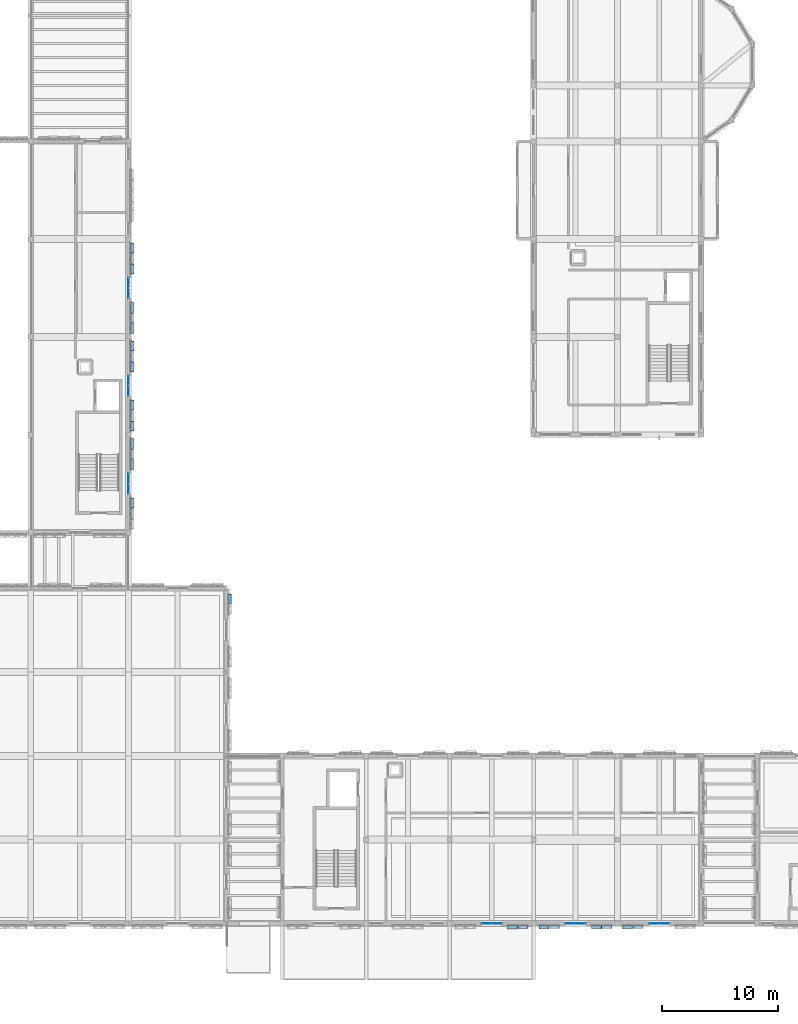
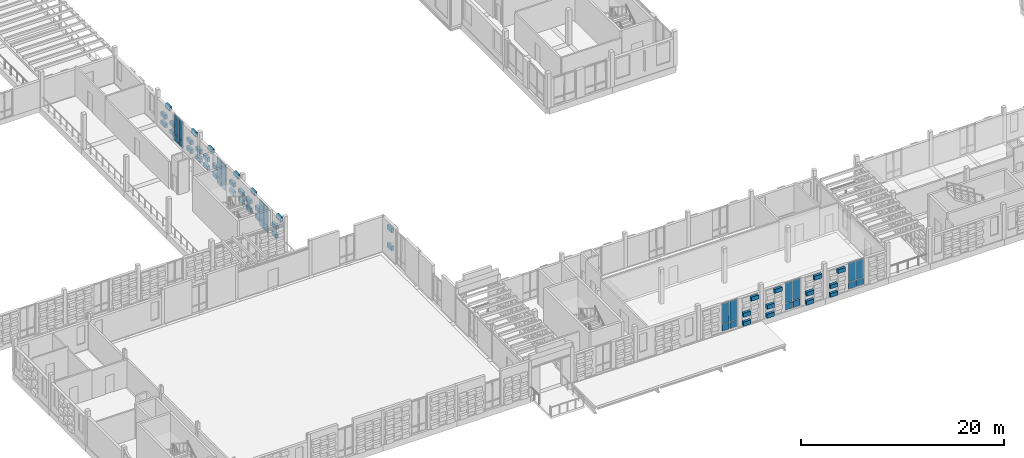
# One storey, part 47 of 99: 66 plates, 6 elements without a shape of their own.
"""IFC4 building model written with IfcOpenShell, lengths in metres."""

from ifc_helpers import new_model, si_unit, direction, frame, origin, origin_2d, place, context, subcontext, project, spatial, rectangle, extrude, material, layer, layer_set, type_object, element, aggregate, save


model = new_model("IFC4")

# Units and contexts
model_context = context("Model", 3, precision=1e-05, world=origin(), true_north=direction((0.0, 1.0)))
body_context = subcontext(model_context, "Body", "Model", "MODEL_VIEW")
ifc_project = project(units=[si_unit("LENGTHUNIT", "METRE"), si_unit("AREAUNIT", "SQUARE_METRE"), si_unit("VOLUMEUNIT", "CUBIC_METRE"), si_unit("PLANEANGLEUNIT", "RADIAN"), si_unit("MASSUNIT", "GRAM", prefix="KILO")], contexts=[model_context])

# Site, building, storey
site_placement = place(None, origin())
site = spatial("IfcSite", under=ifc_project, at=site_placement, CompositionType="ELEMENT")
building_placement = place(site_placement, origin())
building = spatial("IfcBuilding", under=site, at=building_placement, Name="Kahlenmark Community Centre", CompositionType="ELEMENT")
storey_placement = place(building_placement, frame((0.0, 0.0, 5.39990234375)))
storey = spatial("IfcBuildingStorey", under=building, at=storey_placement, Name="L01", CompositionType="ELEMENT", Elevation=5.39990234375)

# Curtain wall, plates
ifc_material_1 = material(Name="Anodised aluminium unitised curtain wall", Category="aluminium")
curtain_wall_type_1 = type_object("IfcCurtainWallType", Name="CWT-UNIT-180X321", PredefinedType="USERDEFINED", material=ifc_material_1)
curtain_wall_1_placement = place(storey_placement, origin())
curtain_wall_1 = element("IfcCurtainWall", 1, at=curtain_wall_1_placement, inside=storey, type_object=curtain_wall_type_1, Name="Unitised curtain wall CW-016", ObjectType="UNITISED CURTAIN WALL", PredefinedType="USERDEFINED")
ifc_material_2 = material(Name="Triple low-e solar-control glass unit", Category="glass")
ifc_layer_1 = layer(ifc_material_2, 0.0439453125)
ifc_layer_set_1 = layer_set([ifc_layer_1], Name="Triple low-e solar-control glass unit")
plate_type_1 = type_object("IfcPlateType", Name="PLT-CW-GLZ-820X2280", PredefinedType="CURTAIN_PANEL", material=ifc_layer_set_1)
plate_1_placement = place(storey_placement, frame((37.60009765625, 46.14990234375, 0.89013671875), z_axis=(0.0, 0.0, 1.0), x_axis=(0.0, 1.0, 0.0)))
plate_1 = element("IfcPlate", 2, at=plate_1_placement, type_object=plate_type_1, Name="CW-016 glazed panel 1", PredefinedType="CURTAIN_PANEL", context=body_context, shape_type="SweptSolid", body=[
    extrude(rectangle(XDim=0.820068359375, YDim=0.0439453125, at=origin_2d()), origin(), (0.0, 0.0, 1.0), 2.280029296875),
])
plate_2_placement = place(storey_placement, frame((37.60009765625, 47.050048828125, 0.89013671875), z_axis=(0.0, 0.0, 1.0), x_axis=(0.0, 1.0, 0.0)))
plate_2 = element("IfcPlate", 3, at=plate_2_placement, type_object=plate_type_1, Name="CW-016 glazed panel 2", PredefinedType="CURTAIN_PANEL", context=body_context, shape_type="SweptSolid", body=[
    extrude(rectangle(XDim=0.820068359375, YDim=0.0439453125, at=origin_2d()), origin(), (0.0, 0.0, 1.0), 2.280029296875),
])

curtain_wall_2_placement = place(storey_placement, origin())
curtain_wall_2 = element("IfcCurtainWall", 4, at=curtain_wall_2_placement, inside=storey, type_object=curtain_wall_type_1, Name="Unitised curtain wall CW-022", ObjectType="UNITISED CURTAIN WALL", PredefinedType="USERDEFINED")
plate_3_placement = place(storey_placement, frame((82.75, 8.800048828125, 0.89013671875), z_axis=(0.0, 0.0, 1.0), x_axis=(1.0, 0.0, 0.0)))
plate_3 = element("IfcPlate", 5, at=plate_3_placement, type_object=plate_type_1, Name="CW-022 glazed panel 1", PredefinedType="CURTAIN_PANEL", context=body_context, shape_type="SweptSolid", body=[
    extrude(rectangle(XDim=0.820068359375, YDim=0.0439453125, at=origin_2d()), origin(), (0.0, 0.0, 1.0), 2.280029296875),
])
plate_4_placement = place(storey_placement, frame((83.64990234375, 8.800048828125, 0.89013671875), z_axis=(0.0, 0.0, 1.0), x_axis=(1.0, 0.0, 0.0)))
plate_4 = element("IfcPlate", 6, at=plate_4_placement, type_object=plate_type_1, Name="CW-022 glazed panel 2", PredefinedType="CURTAIN_PANEL", context=body_context, shape_type="SweptSolid", body=[
    extrude(rectangle(XDim=0.820068359375, YDim=0.0439453125, at=origin_2d()), origin(), (0.0, 0.0, 1.0), 2.280029296875),
])

curtain_wall_type_2 = type_object("IfcCurtainWallType", Name="CWT-UNIT-180X325", PredefinedType="USERDEFINED", material=ifc_material_1)
curtain_wall_3_placement = place(storey_placement, origin())
curtain_wall_3 = element("IfcCurtainWall", 7, at=curtain_wall_3_placement, inside=storey, type_object=curtain_wall_type_2, Name="Unitised curtain wall CW-017", ObjectType="UNITISED CURTAIN WALL", PredefinedType="USERDEFINED")
ifc_layer_2 = layer(ifc_material_2, 0.0439453125)
ifc_layer_set_2 = layer_set([ifc_layer_2], Name="Triple low-e solar-control glass unit")
plate_type_2 = type_object("IfcPlateType", Name="PLT-CW-GLZ-820X2320", PredefinedType="CURTAIN_PANEL", material=ifc_layer_set_2)
plate_5_placement = place(storey_placement, frame((37.60009765625, 54.550048828125, 0.89013671875), z_axis=(0.0, 0.0, 1.0), x_axis=(0.0, 1.0, 0.0)))
plate_5 = element("IfcPlate", 8, at=plate_5_placement, type_object=plate_type_2, Name="CW-017 glazed panel 1", PredefinedType="CURTAIN_PANEL", context=body_context, shape_type="SweptSolid", body=[
    extrude(rectangle(XDim=0.820068359375, YDim=0.0439453125, at=origin_2d()), origin(), (0.0, 0.0, 1.0), 2.320068359375),
])
plate_6_placement = place(storey_placement, frame((37.60009765625, 55.449951171875, 0.89013671875), z_axis=(0.0, 0.0, 1.0), x_axis=(0.0, 1.0, 0.0)))
plate_6 = element("IfcPlate", 9, at=plate_6_placement, type_object=plate_type_2, Name="CW-017 glazed panel 2", PredefinedType="CURTAIN_PANEL", context=body_context, shape_type="SweptSolid", body=[
    extrude(rectangle(XDim=0.820068359375, YDim=0.0439453125, at=origin_2d()), origin(), (0.0, 0.0, 1.0), 2.320068359375),
])

curtain_wall_4_placement = place(storey_placement, origin())
curtain_wall_4 = element("IfcCurtainWall", 10, at=curtain_wall_4_placement, inside=storey, type_object=curtain_wall_type_2, Name="Unitised curtain wall CW-018", ObjectType="UNITISED CURTAIN WALL", PredefinedType="USERDEFINED")
plate_7_placement = place(storey_placement, frame((37.60009765625, 62.949951171875, 0.89013671875), z_axis=(0.0, 0.0, 1.0), x_axis=(0.0, 1.0, 0.0)))
plate_7 = element("IfcPlate", 11, at=plate_7_placement, type_object=plate_type_2, Name="CW-018 glazed panel 1", PredefinedType="CURTAIN_PANEL", context=body_context, shape_type="SweptSolid", body=[
    extrude(rectangle(XDim=0.820068359375, YDim=0.0439453125, at=origin_2d()), origin(), (0.0, 0.0, 1.0), 2.320068359375),
])
plate_8_placement = place(storey_placement, frame((37.60009765625, 63.85009765625, 0.89013671875), z_axis=(0.0, 0.0, 1.0), x_axis=(0.0, 1.0, 0.0)))
plate_8 = element("IfcPlate", 12, at=plate_8_placement, type_object=plate_type_2, Name="CW-018 glazed panel 2", PredefinedType="CURTAIN_PANEL", context=body_context, shape_type="SweptSolid", body=[
    extrude(rectangle(XDim=0.820068359375, YDim=0.0439453125, at=origin_2d()), origin(), (0.0, 0.0, 1.0), 2.320068359375),
])

curtain_wall_type_3 = type_object("IfcCurtainWallType", Name="CWT-UNIT-180X337", PredefinedType="USERDEFINED", material=ifc_material_1)
curtain_wall_5_placement = place(storey_placement, origin())
curtain_wall_5 = element("IfcCurtainWall", 13, at=curtain_wall_5_placement, inside=storey, type_object=curtain_wall_type_3, Name="Unitised curtain wall CW-020", ObjectType="UNITISED CURTAIN WALL", PredefinedType="USERDEFINED")
ifc_layer_3 = layer(ifc_material_2, 0.0439453125)
ifc_layer_set_3 = layer_set([ifc_layer_3], Name="Triple low-e solar-control glass unit")
plate_type_3 = type_object("IfcPlateType", Name="PLT-CW-GLZ-820X2440", PredefinedType="CURTAIN_PANEL", material=ifc_layer_set_3)
plate_9_placement = place(storey_placement, frame((68.35009765625, 8.800048828125, 0.89013671875), z_axis=(0.0, 0.0, 1.0), x_axis=(1.0, 0.0, 0.0)))
plate_9 = element("IfcPlate", 14, at=plate_9_placement, type_object=plate_type_3, Name="CW-020 glazed panel 1", PredefinedType="CURTAIN_PANEL", context=body_context, shape_type="SweptSolid", body=[
    extrude(rectangle(XDim=0.820068359375, YDim=0.0439453125, at=origin_2d()), origin(), (0.0, 0.0, 1.0), 2.43994140625),
])
plate_10_placement = place(storey_placement, frame((69.25, 8.800048828125, 0.89013671875), z_axis=(0.0, 0.0, 1.0), x_axis=(1.0, 0.0, 0.0)))
plate_10 = element("IfcPlate", 15, at=plate_10_placement, type_object=plate_type_3, Name="CW-020 glazed panel 2", PredefinedType="CURTAIN_PANEL", context=body_context, shape_type="SweptSolid", body=[
    extrude(rectangle(XDim=0.820068359375, YDim=0.0439453125, at=origin_2d()), origin(), (0.0, 0.0, 1.0), 2.43994140625),
])

curtain_wall_6_placement = place(storey_placement, origin())
curtain_wall_6 = element("IfcCurtainWall", 16, at=curtain_wall_6_placement, inside=storey, type_object=curtain_wall_type_3, Name="Unitised curtain wall CW-021", ObjectType="UNITISED CURTAIN WALL", PredefinedType="USERDEFINED")
plate_11_placement = place(storey_placement, frame((75.550048828125, 8.800048828125, 0.89013671875), z_axis=(0.0, 0.0, 1.0), x_axis=(1.0, 0.0, 0.0)))
plate_11 = element("IfcPlate", 17, at=plate_11_placement, type_object=plate_type_3, Name="CW-021 glazed panel 1", PredefinedType="CURTAIN_PANEL", context=body_context, shape_type="SweptSolid", body=[
    extrude(rectangle(XDim=0.820068359375, YDim=0.0439453125, at=origin_2d()), origin(), (0.0, 0.0, 1.0), 2.43994140625),
])
plate_12_placement = place(storey_placement, frame((76.449951171875, 8.800048828125, 0.89013671875), z_axis=(0.0, 0.0, 1.0), x_axis=(1.0, 0.0, 0.0)))
plate_12 = element("IfcPlate", 18, at=plate_12_placement, type_object=plate_type_3, Name="CW-021 glazed panel 2", PredefinedType="CURTAIN_PANEL", context=body_context, shape_type="SweptSolid", body=[
    extrude(rectangle(XDim=0.820068359375, YDim=0.0439453125, at=origin_2d()), origin(), (0.0, 0.0, 1.0), 2.43994140625),
])

# Plate
ifc_material_3 = material(Name="Warm terracotta insulated spandrel cassette", Category="masonry")
ifc_layer_4 = layer(ifc_material_3, 0.06005859375)
ifc_layer_set_4 = layer_set([ifc_layer_4], Name="Warm terracotta insulated spandrel cassette")
plate_type_4 = type_object("IfcPlateType", Name="PLT-CW-SPD-820X770", PredefinedType="CURTAIN_PANEL", material=ifc_layer_set_4)
plate_13_placement = place(storey_placement, frame((37.60009765625, 46.14990234375, 0.0400390625), z_axis=(0.0, 0.0, 1.0), x_axis=(0.0, 1.0, 0.0)))
plate_13 = element("IfcPlate", 19, at=plate_13_placement, type_object=plate_type_4, Name="CW-016 spandrel 1", PredefinedType="CURTAIN_PANEL", context=body_context, shape_type="SweptSolid", body=[
    extrude(rectangle(XDim=0.820068359375, YDim=0.06005859375, at=origin_2d()), origin(), (0.0, 0.0, 1.0), 0.77001953125),
])

plate_14_placement = place(storey_placement, frame((37.60009765625, 47.050048828125, 0.0400390625), z_axis=(0.0, 0.0, 1.0), x_axis=(0.0, 1.0, 0.0)))
plate_14 = element("IfcPlate", 20, at=plate_14_placement, type_object=plate_type_4, Name="CW-016 spandrel 2", PredefinedType="CURTAIN_PANEL", context=body_context, shape_type="SweptSolid", body=[
    extrude(rectangle(XDim=0.820068359375, YDim=0.06005859375, at=origin_2d()), origin(), (0.0, 0.0, 1.0), 0.77001953125),
])

aggregate(curtain_wall_1, [plate_13, plate_1, plate_14, plate_2])

plate_15_placement = place(storey_placement, frame((37.60009765625, 54.550048828125, 0.0400390625), z_axis=(0.0, 0.0, 1.0), x_axis=(0.0, 1.0, 0.0)))
plate_15 = element("IfcPlate", 21, at=plate_15_placement, type_object=plate_type_4, Name="CW-017 spandrel 1", PredefinedType="CURTAIN_PANEL", context=body_context, shape_type="SweptSolid", body=[
    extrude(rectangle(XDim=0.820068359375, YDim=0.06005859375, at=origin_2d()), origin(), (0.0, 0.0, 1.0), 0.77001953125),
])

plate_16_placement = place(storey_placement, frame((37.60009765625, 55.449951171875, 0.0400390625), z_axis=(0.0, 0.0, 1.0), x_axis=(0.0, 1.0, 0.0)))
plate_16 = element("IfcPlate", 22, at=plate_16_placement, type_object=plate_type_4, Name="CW-017 spandrel 2", PredefinedType="CURTAIN_PANEL", context=body_context, shape_type="SweptSolid", body=[
    extrude(rectangle(XDim=0.820068359375, YDim=0.06005859375, at=origin_2d()), origin(), (0.0, 0.0, 1.0), 0.77001953125),
])

aggregate(curtain_wall_3, [plate_15, plate_5, plate_16, plate_6])

plate_17_placement = place(storey_placement, frame((37.60009765625, 62.949951171875, 0.0400390625), z_axis=(0.0, 0.0, 1.0), x_axis=(0.0, 1.0, 0.0)))
plate_17 = element("IfcPlate", 23, at=plate_17_placement, type_object=plate_type_4, Name="CW-018 spandrel 1", PredefinedType="CURTAIN_PANEL", context=body_context, shape_type="SweptSolid", body=[
    extrude(rectangle(XDim=0.820068359375, YDim=0.06005859375, at=origin_2d()), origin(), (0.0, 0.0, 1.0), 0.77001953125),
])

plate_18_placement = place(storey_placement, frame((37.60009765625, 63.85009765625, 0.0400390625), z_axis=(0.0, 0.0, 1.0), x_axis=(0.0, 1.0, 0.0)))
plate_18 = element("IfcPlate", 24, at=plate_18_placement, type_object=plate_type_4, Name="CW-018 spandrel 2", PredefinedType="CURTAIN_PANEL", context=body_context, shape_type="SweptSolid", body=[
    extrude(rectangle(XDim=0.820068359375, YDim=0.06005859375, at=origin_2d()), origin(), (0.0, 0.0, 1.0), 0.77001953125),
])

aggregate(curtain_wall_4, [plate_17, plate_7, plate_18, plate_8])

plate_19_placement = place(storey_placement, frame((68.35009765625, 8.800048828125, 0.0400390625), z_axis=(0.0, 0.0, 1.0), x_axis=(1.0, 0.0, 0.0)))
plate_19 = element("IfcPlate", 25, at=plate_19_placement, type_object=plate_type_4, Name="CW-020 spandrel 1", PredefinedType="CURTAIN_PANEL", context=body_context, shape_type="SweptSolid", body=[
    extrude(rectangle(XDim=0.820068359375, YDim=0.06005859375, at=origin_2d()), origin(), (0.0, 0.0, 1.0), 0.77001953125),
])

plate_20_placement = place(storey_placement, frame((69.25, 8.800048828125, 0.0400390625), z_axis=(0.0, 0.0, 1.0), x_axis=(1.0, 0.0, 0.0)))
plate_20 = element("IfcPlate", 26, at=plate_20_placement, type_object=plate_type_4, Name="CW-020 spandrel 2", PredefinedType="CURTAIN_PANEL", context=body_context, shape_type="SweptSolid", body=[
    extrude(rectangle(XDim=0.820068359375, YDim=0.06005859375, at=origin_2d()), origin(), (0.0, 0.0, 1.0), 0.77001953125),
])

aggregate(curtain_wall_5, [plate_19, plate_9, plate_20, plate_10])

plate_21_placement = place(storey_placement, frame((75.550048828125, 8.800048828125, 0.0400390625), z_axis=(0.0, 0.0, 1.0), x_axis=(1.0, 0.0, 0.0)))
plate_21 = element("IfcPlate", 27, at=plate_21_placement, type_object=plate_type_4, Name="CW-021 spandrel 1", PredefinedType="CURTAIN_PANEL", context=body_context, shape_type="SweptSolid", body=[
    extrude(rectangle(XDim=0.820068359375, YDim=0.06005859375, at=origin_2d()), origin(), (0.0, 0.0, 1.0), 0.77001953125),
])

plate_22_placement = place(storey_placement, frame((76.449951171875, 8.800048828125, 0.0400390625), z_axis=(0.0, 0.0, 1.0), x_axis=(1.0, 0.0, 0.0)))
plate_22 = element("IfcPlate", 28, at=plate_22_placement, type_object=plate_type_4, Name="CW-021 spandrel 2", PredefinedType="CURTAIN_PANEL", context=body_context, shape_type="SweptSolid", body=[
    extrude(rectangle(XDim=0.820068359375, YDim=0.06005859375, at=origin_2d()), origin(), (0.0, 0.0, 1.0), 0.77001953125),
])

aggregate(curtain_wall_6, [plate_21, plate_11, plate_22, plate_12])

plate_23_placement = place(storey_placement, frame((82.75, 8.800048828125, 0.0400390625), z_axis=(0.0, 0.0, 1.0), x_axis=(1.0, 0.0, 0.0)))
plate_23 = element("IfcPlate", 29, at=plate_23_placement, type_object=plate_type_4, Name="CW-022 spandrel 1", PredefinedType="CURTAIN_PANEL", context=body_context, shape_type="SweptSolid", body=[
    extrude(rectangle(XDim=0.820068359375, YDim=0.06005859375, at=origin_2d()), origin(), (0.0, 0.0, 1.0), 0.77001953125),
])

plate_24_placement = place(storey_placement, frame((83.64990234375, 8.800048828125, 0.0400390625), z_axis=(0.0, 0.0, 1.0), x_axis=(1.0, 0.0, 0.0)))
plate_24 = element("IfcPlate", 30, at=plate_24_placement, type_object=plate_type_4, Name="CW-022 spandrel 2", PredefinedType="CURTAIN_PANEL", context=body_context, shape_type="SweptSolid", body=[
    extrude(rectangle(XDim=0.820068359375, YDim=0.06005859375, at=origin_2d()), origin(), (0.0, 0.0, 1.0), 0.77001953125),
])

aggregate(curtain_wall_2, [plate_23, plate_3, plate_24, plate_4])

# Plates
ifc_material_4 = material(Name="Extruded glazed terracotta weave cassette", Category="masonry")
ifc_layer_5 = layer(ifc_material_4, 0.300048828125)
ifc_layer_set_5 = layer_set([ifc_layer_5], Name="Extruded glazed terracotta weave cassette")
plate_type_5 = type_object("IfcPlateType", Name="PLT-TC-TC-R34-840X300X468", PredefinedType="SHEET", material=ifc_layer_set_5)
for number, where, z_axis, x_axis, name in (
    (31, (37.89990234375, 44.929931640625, 1.1162109375), (0.0, 0.0, 1.0), (0.0, 1.0, 0.0), "Basketweave terracotta cassette 0811"),
    (32, (37.89990234375, 48.22998046875, 1.1162109375), (0.0, 0.0, 1.0), (0.0, 1.0, 0.0), "Basketweave terracotta cassette 0817"),
    (33, (37.89990234375, 50.030029296875, 1.1162109375), (0.0, 0.0, 1.0), (0.0, 1.0, 0.0), "Basketweave terracotta cassette 0829"),
    (34, (80.47998046875, 8.5, 1.1162109375), (0.0, 0.0, 1.0), (1.0, 0.0, 0.0), "Basketweave terracotta cassette 1027"),
):
    element("IfcPlate", number, at=place(storey_placement, frame(where, z_axis=z_axis, x_axis=x_axis)), inside=storey, type_object=plate_type_5, Name=name, PredefinedType="SHEET", context=body_context, shape_type="SweptSolid", body=[
        extrude(rectangle(XDim=0.840087890625, YDim=0.300048828125, at=origin_2d()), origin(), (0.0, 0.0, 1.0), 0.468017578125),
    ])
ifc_layer_6 = layer(ifc_material_4, 0.300048828125)
ifc_layer_set_6 = layer_set([ifc_layer_6], Name="Extruded glazed terracotta weave cassette")
plate_type_6 = type_object("IfcPlateType", Name="PLT-TC-TC-R34-840X300X475", PredefinedType="SHEET", material=ifc_layer_set_6)
for number, where, z_axis, x_axis, name in (
    (35, (37.89990234375, 51.530029296875, 1.130126953125), (0.0, 0.0, 1.0), (0.0, 1.0, 0.0), "Basketweave terracotta cassette 0835"),
    (36, (37.89990234375, 53.330078125, 1.130126953125), (0.0, 0.0, 1.0), (0.0, 1.0, 0.0), "Basketweave terracotta cassette 0847"),
    (37, (37.89990234375, 56.6298828125, 1.130126953125), (0.0, 0.0, 1.0), (0.0, 1.0, 0.0), "Basketweave terracotta cassette 0853"),
    (38, (37.89990234375, 58.429931640625, 1.130126953125), (0.0, 0.0, 1.0), (0.0, 1.0, 0.0), "Basketweave terracotta cassette 0865"),
    (39, (37.89990234375, 59.929931640625, 1.130126953125), (0.0, 0.0, 1.0), (0.0, 1.0, 0.0), "Basketweave terracotta cassette 0871"),
    (40, (37.89990234375, 61.72998046875, 1.130126953125), (0.0, 0.0, 1.0), (0.0, 1.0, 0.0), "Basketweave terracotta cassette 0883"),
    (41, (37.89990234375, 65.030029296875, 1.130126953125), (0.0, 0.0, 1.0), (0.0, 1.0, 0.0), "Basketweave terracotta cassette 0889"),
    (42, (37.89990234375, 66.830078125, 1.130126953125), (0.0, 0.0, 1.0), (0.0, 1.0, 0.0), "Basketweave terracotta cassette 0901"),
):
    element("IfcPlate", number, at=place(storey_placement, frame(where, z_axis=z_axis, x_axis=x_axis)), inside=storey, type_object=plate_type_6, Name=name, PredefinedType="SHEET", context=body_context, shape_type="SweptSolid", body=[
        extrude(rectangle(XDim=0.840087890625, YDim=0.300048828125, at=origin_2d()), origin(), (0.0, 0.0, 1.0), 0.47509765625),
    ])
ifc_layer_7 = layer(ifc_material_4, 0.300048828125)
ifc_layer_set_7 = layer_set([ifc_layer_7], Name="Extruded glazed terracotta weave cassette")
plate_type_7 = type_object("IfcPlateType", Name="PLT-TC-TC-R34-840X300X495", PredefinedType="SHEET", material=ifc_layer_set_7)
for number, where, z_axis, x_axis, name in (
    (43, (70.580078125, 8.5, 1.169921875), (0.0, 0.0, 1.0), (1.0, 0.0, 0.0), "Basketweave terracotta cassette 0991"),
    (44, (73.280029296875, 8.5, 1.169921875), (0.0, 0.0, 1.0), (1.0, 0.0, 0.0), "Basketweave terracotta cassette 1003"),
    (45, (77.780029296875, 8.5, 1.169921875), (0.0, 0.0, 1.0), (1.0, 0.0, 0.0), "Basketweave terracotta cassette 1015"),
):
    element("IfcPlate", number, at=place(storey_placement, frame(where, z_axis=z_axis, x_axis=x_axis)), inside=storey, type_object=plate_type_7, Name=name, PredefinedType="SHEET", context=body_context, shape_type="SweptSolid", body=[
        extrude(rectangle(XDim=0.840087890625, YDim=0.300048828125, at=origin_2d()), origin(), (0.0, 0.0, 1.0), 0.4951171875),
    ])
ifc_layer_8 = layer(ifc_material_4, 0.300048828125)
ifc_layer_set_8 = layer_set([ifc_layer_8], Name="Extruded glazed terracotta weave cassette")
plate_type_8 = type_object("IfcPlateType", Name="PLT-TC-TC-R34-860X300X468", PredefinedType="SHEET", material=ifc_layer_set_8)
for number, where, z_axis, x_axis, name in (
    (46, (37.89990234375, 44.929931640625, 0.10009765625), (0.0, 0.0, 1.0), (0.0, 1.0, 0.0), "Basketweave terracotta cassette 0809"),
    (47, (37.89990234375, 48.22998046875, 0.10009765625), (0.0, 0.0, 1.0), (0.0, 1.0, 0.0), "Basketweave terracotta cassette 0815"),
    (48, (37.89990234375, 50.030029296875, 0.10009765625), (0.0, 0.0, 1.0), (0.0, 1.0, 0.0), "Basketweave terracotta cassette 0827"),
    (49, (80.47998046875, 8.5, 0.10009765625), (0.0, 0.0, 1.0), (1.0, 0.0, 0.0), "Basketweave terracotta cassette 1025"),
):
    element("IfcPlate", number, at=place(storey_placement, frame(where, z_axis=z_axis, x_axis=x_axis)), inside=storey, type_object=plate_type_8, Name=name, PredefinedType="SHEET", context=body_context, shape_type="SweptSolid", body=[
        extrude(rectangle(XDim=0.860107421875, YDim=0.300048828125, at=origin_2d()), origin(), (0.0, 0.0, 1.0), 0.468017578125),
    ])
ifc_layer_9 = layer(ifc_material_4, 0.300048828125)
ifc_layer_set_9 = layer_set([ifc_layer_9], Name="Extruded glazed terracotta weave cassette")
plate_type_9 = type_object("IfcPlateType", Name="PLT-TC-TC-R34-860X300X475", PredefinedType="SHEET", material=ifc_layer_set_9)
for number, where, z_axis, x_axis, name in (
    (50, (37.89990234375, 51.530029296875, 0.10009765625), (0.0, 0.0, 1.0), (0.0, 1.0, 0.0), "Basketweave terracotta cassette 0833"),
    (51, (37.89990234375, 53.330078125, 0.10009765625), (0.0, 0.0, 1.0), (0.0, 1.0, 0.0), "Basketweave terracotta cassette 0845"),
    (52, (37.89990234375, 56.6298828125, 0.10009765625), (0.0, 0.0, 1.0), (0.0, 1.0, 0.0), "Basketweave terracotta cassette 0851"),
    (53, (37.89990234375, 58.429931640625, 0.10009765625), (0.0, 0.0, 1.0), (0.0, 1.0, 0.0), "Basketweave terracotta cassette 0863"),
    (54, (37.89990234375, 59.929931640625, 0.10009765625), (0.0, 0.0, 1.0), (0.0, 1.0, 0.0), "Basketweave terracotta cassette 0869"),
    (55, (37.89990234375, 61.72998046875, 0.10009765625), (0.0, 0.0, 1.0), (0.0, 1.0, 0.0), "Basketweave terracotta cassette 0881"),
    (56, (37.89990234375, 65.030029296875, 0.10009765625), (0.0, 0.0, 1.0), (0.0, 1.0, 0.0), "Basketweave terracotta cassette 0887"),
    (57, (37.89990234375, 66.830078125, 0.10009765625), (0.0, 0.0, 1.0), (0.0, 1.0, 0.0), "Basketweave terracotta cassette 0899"),
):
    element("IfcPlate", number, at=place(storey_placement, frame(where, z_axis=z_axis, x_axis=x_axis)), inside=storey, type_object=plate_type_9, Name=name, PredefinedType="SHEET", context=body_context, shape_type="SweptSolid", body=[
        extrude(rectangle(XDim=0.860107421875, YDim=0.300048828125, at=origin_2d()), origin(), (0.0, 0.0, 1.0), 0.47509765625),
    ])
ifc_layer_10 = layer(ifc_material_4, 0.300048828125)
ifc_layer_set_10 = layer_set([ifc_layer_10], Name="Extruded glazed terracotta weave cassette")
plate_type_10 = type_object("IfcPlateType", Name="PLT-TC-TC-R34-860X300X495", PredefinedType="SHEET", material=ifc_layer_set_10)
for number, where, z_axis, x_axis, name in (
    (58, (70.580078125, 8.5, 0.10009765625), (0.0, 0.0, 1.0), (1.0, 0.0, 0.0), "Basketweave terracotta cassette 0989"),
    (59, (73.280029296875, 8.5, 0.10009765625), (0.0, 0.0, 1.0), (1.0, 0.0, 0.0), "Basketweave terracotta cassette 1001"),
    (60, (77.780029296875, 8.5, 0.10009765625), (0.0, 0.0, 1.0), (1.0, 0.0, 0.0), "Basketweave terracotta cassette 1013"),
):
    element("IfcPlate", number, at=place(storey_placement, frame(where, z_axis=z_axis, x_axis=x_axis)), inside=storey, type_object=plate_type_10, Name=name, PredefinedType="SHEET", context=body_context, shape_type="SweptSolid", body=[
        extrude(rectangle(XDim=0.860107421875, YDim=0.300048828125, at=origin_2d()), origin(), (0.0, 0.0, 1.0), 0.4951171875),
    ])
ifc_layer_11 = layer(ifc_material_4, 0.280029296875)
ifc_layer_set_11 = layer_set([ifc_layer_11], Name="Extruded glazed terracotta weave cassette")
plate_type_11 = type_object("IfcPlateType", Name="PLT-TC-TC-W30-820X280X506", PredefinedType="SHEET", material=ifc_layer_set_11)
plate_25_placement = place(storey_placement, frame((46.2900390625, 36.679931640625, 0.64599609375), z_axis=(0.0, 0.0, 1.0), x_axis=(0.0, 1.0, 0.0)))
element("IfcPlate", 61, at=plate_25_placement, inside=storey, type_object=plate_type_11, Name="Basketweave terracotta cassette 0479", PredefinedType="SHEET", context=body_context, shape_type="SweptSolid", body=[
    extrude(rectangle(XDim=0.820068359375, YDim=0.280029296875, at=origin_2d()), origin(), (0.0, 0.0, 1.0), 0.506103515625),
])
ifc_layer_12 = layer(ifc_material_4, 0.280029296875)
ifc_layer_set_12 = layer_set([ifc_layer_12], Name="Extruded glazed terracotta weave cassette")
plate_type_12 = type_object("IfcPlateType", Name="PLT-TC-TC-W30-860X280X468", PredefinedType="SHEET", material=ifc_layer_set_12)
for number, where, z_axis, x_axis, name in (
    (62, (37.889892578125, 44.030029296875, 2.64013671875), (0.0, 0.0, 1.0), (0.0, 1.0, 0.0), "Basketweave terracotta cassette 0808"),
    (63, (37.889892578125, 49.1298828125, 2.64013671875), (0.0, 0.0, 1.0), (0.0, 1.0, 0.0), "Basketweave terracotta cassette 0826"),
    (64, (81.3798828125, 8.510009765625, 2.64013671875), (0.0, 0.0, 1.0), (1.0, 0.0, 0.0), "Basketweave terracotta cassette 1036"),
):
    element("IfcPlate", number, at=place(storey_placement, frame(where, z_axis=z_axis, x_axis=x_axis)), inside=storey, type_object=plate_type_12, Name=name, PredefinedType="SHEET", context=body_context, shape_type="SweptSolid", body=[
        extrude(rectangle(XDim=0.860107421875, YDim=0.280029296875, at=origin_2d()), origin(), (0.0, 0.0, 1.0), 0.468017578125),
    ])
ifc_layer_13 = layer(ifc_material_4, 0.280029296875)
ifc_layer_set_13 = layer_set([ifc_layer_13], Name="Extruded glazed terracotta weave cassette")
plate_type_13 = type_object("IfcPlateType", Name="PLT-TC-TC-W30-860X280X475", PredefinedType="SHEET", material=ifc_layer_set_13)
for number, where, z_axis, x_axis, name in (
    (65, (37.889892578125, 52.429931640625, 2.675048828125), (0.0, 0.0, 1.0), (0.0, 1.0, 0.0), "Basketweave terracotta cassette 0844"),
    (66, (37.889892578125, 57.530029296875, 2.675048828125), (0.0, 0.0, 1.0), (0.0, 1.0, 0.0), "Basketweave terracotta cassette 0862"),
    (67, (37.889892578125, 60.830078125, 2.675048828125), (0.0, 0.0, 1.0), (0.0, 1.0, 0.0), "Basketweave terracotta cassette 0880"),
    (68, (37.889892578125, 65.929931640625, 2.675048828125), (0.0, 0.0, 1.0), (0.0, 1.0, 0.0), "Basketweave terracotta cassette 0898"),
):
    element("IfcPlate", number, at=place(storey_placement, frame(where, z_axis=z_axis, x_axis=x_axis)), inside=storey, type_object=plate_type_13, Name=name, PredefinedType="SHEET", context=body_context, shape_type="SweptSolid", body=[
        extrude(rectangle(XDim=0.860107421875, YDim=0.280029296875, at=origin_2d()), origin(), (0.0, 0.0, 1.0), 0.47509765625),
    ])
ifc_layer_14 = layer(ifc_material_4, 0.280029296875)
ifc_layer_set_14 = layer_set([ifc_layer_14], Name="Extruded glazed terracotta weave cassette")
plate_type_14 = type_object("IfcPlateType", Name="PLT-TC-TC-W30-860X280X495", PredefinedType="SHEET", material=ifc_layer_set_14)
for number, where, z_axis, x_axis, name in (
    (69, (71.47998046875, 8.510009765625, 2.775146484375), (0.0, 0.0, 1.0), (1.0, 0.0, 0.0), "Basketweave terracotta cassette 1000"),
    (70, (74.179931640625, 8.510009765625, 2.775146484375), (0.0, 0.0, 1.0), (1.0, 0.0, 0.0), "Basketweave terracotta cassette 1012"),
    (71, (78.679931640625, 8.510009765625, 2.775146484375), (0.0, 0.0, 1.0), (1.0, 0.0, 0.0), "Basketweave terracotta cassette 1024"),
):
    element("IfcPlate", number, at=place(storey_placement, frame(where, z_axis=z_axis, x_axis=x_axis)), inside=storey, type_object=plate_type_14, Name=name, PredefinedType="SHEET", context=body_context, shape_type="SweptSolid", body=[
        extrude(rectangle(XDim=0.860107421875, YDim=0.280029296875, at=origin_2d()), origin(), (0.0, 0.0, 1.0), 0.4951171875),
    ])
ifc_layer_15 = layer(ifc_material_4, 0.280029296875)
ifc_layer_set_15 = layer_set([ifc_layer_15], Name="Extruded glazed terracotta weave cassette")
plate_type_15 = type_object("IfcPlateType", Name="PLT-TC-TC-W30-860X280X506", PredefinedType="SHEET", material=ifc_layer_set_15)
plate_26_placement = place(storey_placement, frame((46.2900390625, 36.679931640625, 2.830078125), z_axis=(0.0, 0.0, 1.0), x_axis=(0.0, 1.0, 0.0)))
element("IfcPlate", 72, at=plate_26_placement, inside=storey, type_object=plate_type_15, Name="Basketweave terracotta cassette 0483", PredefinedType="SHEET", context=body_context, shape_type="SweptSolid", body=[
    extrude(rectangle(XDim=0.860107421875, YDim=0.280029296875, at=origin_2d()), origin(), (0.0, 0.0, 1.0), 0.506103515625),
])

save(model, "model.ifc")
